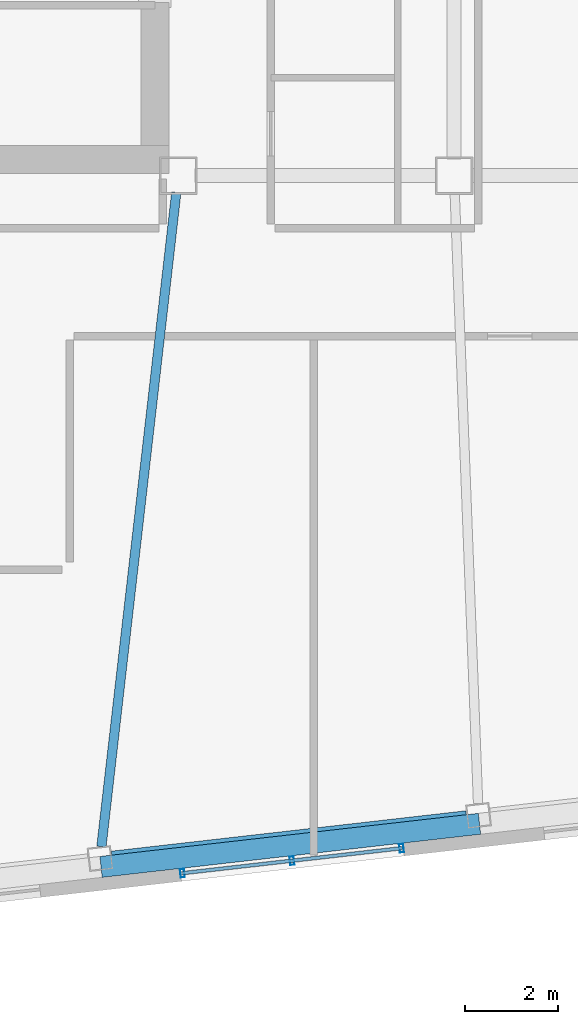
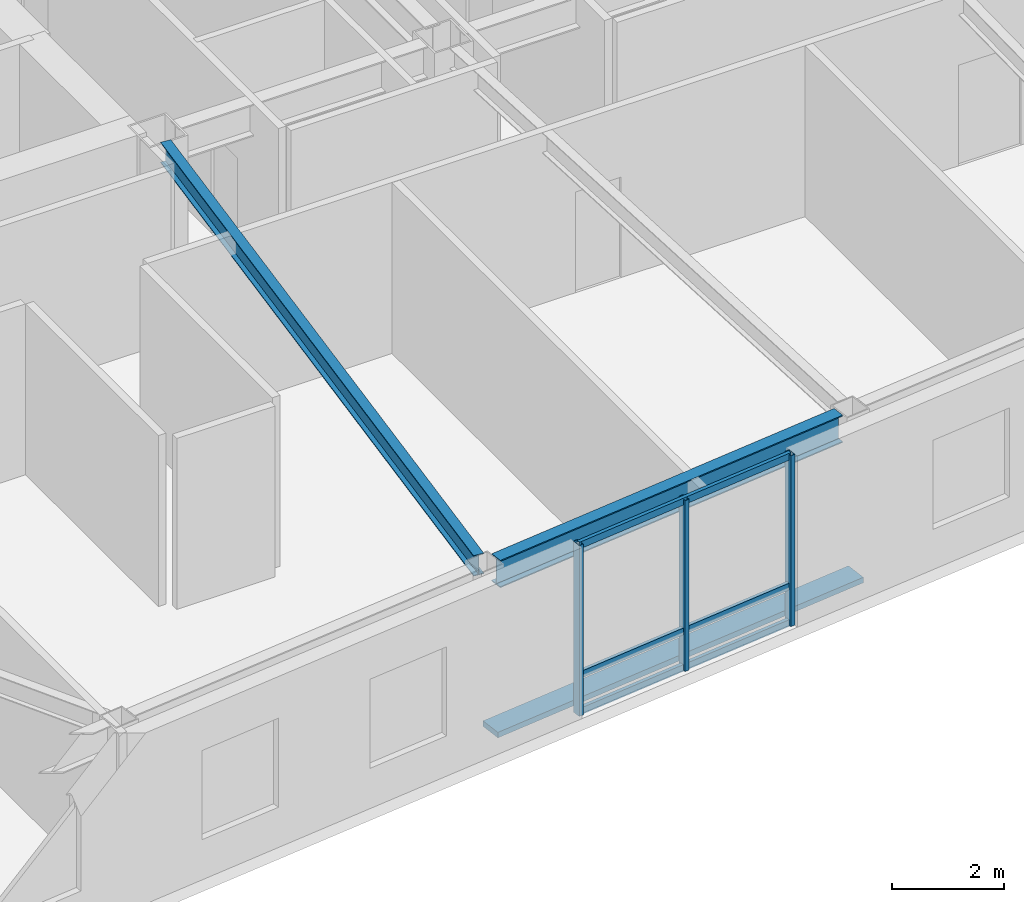
# One storey, part 4 of 19: 7 members, 2 beams, 1 element without a shape of its own.
"""IFC4 building model written with IfcOpenShell, lengths in metres."""

import ifcopenshell
import ifcopenshell.guid

model = None  # the IFC model being written
_history = None  # IfcOwnerHistory: only IFC2X3 demands one
_inside = {}  # id of a spatial element -> (the spatial element, [elements in it])
_under = {}  # id of a project, library or spatial element -> (it, [spatial elements below it])
_declared = {}  # id of a project -> (the project, [libraries it declares])
_typed = {}  # id of a type object -> (the type object, [elements of that type])
_made_of = {}  # id of a material, layer set ... -> (it, [elements and type objects made of it])


def new_model(schema):
    """Start an empty IFC model of exactly this schema.

    Asked for "IFC4X3", IfcOpenShell would pick the latest addendum, in which some entities
    have other attributes; the version numbers below select the first issue.
    IFC2X3 requires an IfcOwnerHistory on every rooted entity: one is made here for all.
    """
    global model, _history
    if schema == "IFC4X3":
        model = ifcopenshell.file(schema_version=(4, 3, 0, 0))
    else:
        model = ifcopenshell.file(schema=schema)
    _inside.clear()
    _under.clear()
    _declared.clear()
    _typed.clear()
    _made_of.clear()
    _history = None
    if model.schema == "IFC2X3":
        org = make("IfcOrganization", Name="unknown")
        user = make(
            "IfcPersonAndOrganization",
            ThePerson=make("IfcPerson", FamilyName="unknown"),
            TheOrganization=org,
        )
        app = make(
            "IfcApplication",
            ApplicationDeveloper=org,
            Version="unknown",
            ApplicationFullName="unknown",
            ApplicationIdentifier="unknown",
        )
        _history = make(
            "IfcOwnerHistory",
            OwningUser=user,
            OwningApplication=app,
            ChangeAction="ADDED",
            CreationDate=0,
        )
    return model


def make(cls, **values):
    """One entity of the class cls with the attributes given. An attribute that is None is left unset."""
    return model.create_entity(
        cls, **{name: value for name, value in values.items() if value is not None}
    )


def rooted(cls, **values):
    """An entity with a GlobalId (a new one), such as an element, a storey or a relation."""
    return make(cls, GlobalId=ifcopenshell.guid.new(), OwnerHistory=_history, **values)


def si_unit(unit_type, name, prefix=None):
    """IfcSIUnit, for example si_unit("LENGTHUNIT", "METRE", prefix="MILLI")."""
    return make("IfcSIUnit", UnitType=unit_type, Prefix=prefix, Name=name)


def assignment(units):
    """IfcUnitAssignment: the units of a project."""
    return None if units is None else make("IfcUnitAssignment", Units=units)


def point(xyz):
    """IfcCartesianPoint."""
    return None if xyz is None else make("IfcCartesianPoint", Coordinates=xyz)


def direction(xyz):
    """IfcDirection."""
    return None if xyz is None else make("IfcDirection", DirectionRatios=xyz)


def frame(location, z_axis=None, x_axis=None):
    """IfcAxis2Placement3D, a coordinate frame: its origin and axes. An axis left out is left unset."""
    return make(
        "IfcAxis2Placement3D",
        Location=point(location),
        Axis=direction(z_axis),
        RefDirection=direction(x_axis),
    )


def frame_2d(location, x_axis=None):
    """IfcAxis2Placement2D, a coordinate frame in the plane: its origin and x axis."""
    return make(
        "IfcAxis2Placement2D", Location=point(location), RefDirection=direction(x_axis)
    )


def origin():
    """The frame at (0, 0, 0) with its axes left unset."""
    return frame((0.0, 0.0, 0.0))


def origin_2d():
    """The frame at (0, 0) in the plane with its x axis left unset."""
    return frame_2d((0.0, 0.0))


def place(relative_to, where):
    """IfcLocalPlacement: puts the frame where relative to a parent placement (None: the world)."""
    return make(
        "IfcLocalPlacement", PlacementRelTo=relative_to, RelativePlacement=where
    )


def context(
    kind, dimensions, precision=None, world=None, true_north=None, identifier=None
):
    """IfcGeometricRepresentationContext, for example the 3D "Model" context."""
    return make(
        "IfcGeometricRepresentationContext",
        ContextIdentifier=identifier,
        ContextType=kind,
        CoordinateSpaceDimension=dimensions,
        Precision=precision,
        WorldCoordinateSystem=world,
        TrueNorth=true_north,
    )


def subcontext(parent, identifier, kind, view, scale=None):
    """IfcGeometricRepresentationSubContext, for example "Body" below "Model"."""
    return make(
        "IfcGeometricRepresentationSubContext",
        ContextIdentifier=identifier,
        ContextType=kind,
        ParentContext=parent,
        TargetScale=scale,
        TargetView=view,
    )


def project(units=None, contexts=None):
    """IfcProject with its units and contexts."""
    return rooted(
        "IfcProject",
        Name="project",
        RepresentationContexts=contexts,
        UnitsInContext=assignment(units),
    )


def spatial(cls, under=None, at=None, **own):
    """A site, building, storey or space (cls), placed at a placement, below another one or the project."""
    s = rooted(cls, ObjectPlacement=at, **own)
    if under is not None:
        _under.setdefault(under.id(), (under, []))[1].append(s)
    return s


def profile(cls, at=None, kind="AREA", **sizes):
    """A parametric profile (cls). Its sizes go by their IFC names, for example OverallWidth=200.0."""
    return make(cls, ProfileType=kind, Position=at, **sizes)


def rectangle(**sizes):
    """IfcRectangleProfileDef."""
    return profile("IfcRectangleProfileDef", **sizes)


def hollow_rectangle(**sizes):
    """IfcRectangleHollowProfileDef."""
    return profile("IfcRectangleHollowProfileDef", **sizes)


def i_section(**sizes):
    """IfcIShapeProfileDef."""
    return profile("IfcIShapeProfileDef", **sizes)


def extrude(swept, where, along, depth):
    """IfcExtrudedAreaSolid: the profile swept, set in the frame where, extruded along a direction by depth."""
    return make(
        "IfcExtrudedAreaSolid",
        SweptArea=swept,
        Position=where,
        ExtrudedDirection=direction(along),
        Depth=depth,
    )


def shape(context_of_items, identifier, shape_type, items):
    """IfcShapeRepresentation: the items that make up one representation, for example the "Body"."""
    return make(
        "IfcShapeRepresentation",
        ContextOfItems=context_of_items,
        RepresentationIdentifier=identifier,
        RepresentationType=shape_type,
        Items=items,
    )


def material(Name=None, Category=None):
    """IfcMaterial."""
    return make("IfcMaterial", Name=Name, Category=Category)


def layer(
    of_material, thickness, ventilated=None, Name=None, Category=None, Priority=None
):
    """IfcMaterialLayer: one layer of a wall or slab, of a material (None: an air gap)."""
    return make(
        "IfcMaterialLayer",
        Material=of_material,
        LayerThickness=thickness,
        IsVentilated=ventilated,
        Name=Name,
        Category=Category,
        Priority=Priority,
    )


def layer_set(layers, Name=None):
    """IfcMaterialLayerSet."""
    return make("IfcMaterialLayerSet", MaterialLayers=layers, LayerSetName=Name)


def material_profile(
    of_material, cross_section, Name=None, Category=None, Priority=None
):
    """IfcMaterialProfile: a cross section and its material."""
    return make(
        "IfcMaterialProfile",
        Name=Name,
        Material=of_material,
        Profile=cross_section,
        Priority=Priority,
        Category=Category,
    )


def profile_set(profiles, Name=None, composite=None):
    """IfcMaterialProfileSet."""
    return make(
        "IfcMaterialProfileSet",
        Name=Name,
        MaterialProfiles=profiles,
        CompositeProfile=composite,
    )


def made_of(thing, what):
    """Note that an element or type object is made of a material, layer set ...; save() writes the relation."""
    if what is not None:
        _made_of.setdefault(what.id(), (what, []))[1].append(thing)
    return thing


def type_object(cls, material=None, **own):
    """A type object (cls), such as IfcWallType, which elements share."""
    return made_of(rooted(cls, **own), material)


def element(
    cls,
    number,
    at=None,
    inside=None,
    cuts=None,
    type_object=None,
    material=None,
    context=None,
    identifier="Body",
    shape_type=None,
    held_by="IfcProductDefinitionShape",
    body=None,
    shapes=None,
    **own,
):
    """One element of the class cls, such as IfcWall. Its Tag is "e" and its number.

    at: its placement. inside: the storey or other place that contains it. cuts: it is an
    opening in that element (IfcRelVoidsElement). A single representation is given by context,
    identifier, shape_type and body (its items); several are given by shapes. held_by: the class
    of the entity that holds the representations. save() writes the other relations.
    """
    e = rooted(cls, Tag="e%d" % number, ObjectPlacement=at, **own)
    if body is not None:
        shapes = [shape(context, identifier, shape_type, body)]
    if shapes is not None:
        e.Representation = make(held_by, Representations=shapes)
    if inside is not None:
        _inside.setdefault(inside.id(), (inside, []))[1].append(e)
    if cuts is not None:
        rooted(
            "IfcRelVoidsElement", RelatingBuildingElement=cuts, RelatedOpeningElement=e
        )
    if type_object is not None:
        _typed.setdefault(type_object.id(), (type_object, []))[1].append(e)
    return made_of(e, material)


def aggregate(whole, parts):
    """IfcRelAggregates: a whole, such as a stair, and the parts it consists of."""
    return rooted("IfcRelAggregates", RelatingObject=whole, RelatedObjects=parts)


def save(model, path):
    """Write the relations noted so far, then the file.

    IfcRelAggregates (storeys below a building ...), IfcRelContainedInSpatialStructure (elements
    in a storey), IfcRelDefinesByType, IfcRelAssociatesMaterial and IfcRelDeclares: one each for
    every whole, place, type object, material and project.
    """
    for whole, parts in _under.values():
        aggregate(whole, parts)
    for where, things in _inside.values():
        rooted(
            "IfcRelContainedInSpatialStructure",
            RelatedElements=things,
            RelatingStructure=where,
        )
    for kind, things in _typed.values():
        rooted("IfcRelDefinesByType", RelatedObjects=things, RelatingType=kind)
    for what, things in _made_of.values():
        rooted("IfcRelAssociatesMaterial", RelatedObjects=things, RelatingMaterial=what)
    for by, libraries in _declared.values():
        rooted("IfcRelDeclares", RelatingContext=by, RelatedDefinitions=libraries)
    model.write(path)


model = new_model("IFC4")

# Units and contexts
model_context = context("Model", 3, precision=1e-05, world=origin(), true_north=direction((0.0, 1.0)))
body_context = subcontext(model_context, "Body", "Model", "MODEL_VIEW")
ifc_project = project(units=[si_unit("LENGTHUNIT", "METRE"), si_unit("AREAUNIT", "SQUARE_METRE"), si_unit("VOLUMEUNIT", "CUBIC_METRE"), si_unit("PLANEANGLEUNIT", "RADIAN"), si_unit("MASSUNIT", "GRAM", prefix="KILO")], contexts=[model_context])

# Site, building, storey
site_placement = place(None, origin())
site = spatial("IfcSite", under=ifc_project, at=site_placement, CompositionType="ELEMENT")
building_placement = place(site_placement, origin())
building = spatial("IfcBuilding", under=site, at=building_placement, Name="Tavrogorsk Clinical Tower", CompositionType="ELEMENT")
storey_placement = place(building_placement, frame((0.0, 0.0, 259.0)))
storey = spatial("IfcBuildingStorey", under=building, at=storey_placement, Name="L60", CompositionType="ELEMENT", Elevation=259.0)

# Member
ifc_material_1 = material(Name="Anodised aluminium alloy AW-6063", Category="aluminium")
ifc_material_profile_1 = material_profile(ifc_material_1, rectangle(XDim=0.449951171875, YDim=0.1201171875, at=origin_2d()), Name="ALU-SUNSHADE-450x120")
ifc_profile_set_1 = profile_set([ifc_material_profile_1], Name="Anodised aluminium alloy AW-6063")
member_type_1 = type_object("IfcMemberType", Name="ChicagoSunshade_450x120", PredefinedType="USERDEFINED", material=ifc_profile_set_1)
member_1_placement = place(storey_placement, frame((-11.951904296875, -21.136474609375, 0.179931640625), z_axis=(0.9935729766, 0.113193375116, 0.0), x_axis=(-0.113193375116, 0.9935729766, 0.0)))
element("IfcMember", 1, at=member_1_placement, inside=storey, type_object=member_type_1, Name="L60 South Aluminium Sunshade S3", ObjectType="SUNSHADE", PredefinedType="USERDEFINED", context=body_context, shape_type="SweptSolid", body=[
    extrude(rectangle(XDim=0.449951171875, YDim=0.1201171875, at=origin_2d()), origin(), (0.0, 0.0, 1.0), 8.148681640625),
])

# Curtain wall, members
ifc_material_2 = material(Name="Anodised aluminium and triple IGU glazing", Category="aluminium")
ifc_layer = layer(ifc_material_2, 0.179931640625)
ifc_layer_set = layer_set([ifc_layer], Name="Anodised aluminium and triple IGU glazing")
curtain_wall_type = type_object("IfcCurtainWallType", Name="CW3_SouthSlot", PredefinedType="NOTDEFINED", material=ifc_layer_set)
curtain_wall_placement = place(storey_placement, origin())
curtain_wall = element("IfcCurtainWall", 2, at=curtain_wall_placement, inside=storey, type_object=curtain_wall_type, Name="L60 Curtain Wall CW-L60-S-SLOT-1", PredefinedType="NOTDEFINED")
ifc_material_3 = material(Name="Anodised aluminium alloy AW-6060", Category="aluminium")
ifc_material_profile_2 = material_profile(ifc_material_3, hollow_rectangle(XDim=0.090087890625, YDim=0.179931640625, WallThickness=0.00634765625, at=origin_2d()), Name="RHS-180x90x6.3")
ifc_profile_set_2 = profile_set([ifc_material_profile_2], Name="Anodised aluminium alloy AW-6060")
member_type_2 = type_object("IfcMemberType", Name="CwMullion_180x90", PredefinedType="MULLION", material=ifc_profile_set_2)
member_2_placement = place(storey_placement, frame((-10.21044921875, -21.270263671875, 0.0), z_axis=(0.0, 0.0, 1.0), x_axis=(0.993571855603, 0.11320321441, 0.0)))
member_2 = element("IfcMember", 3, at=member_2_placement, type_object=member_type_2, Name="CW-L60-S-SLOT-1 Mullion 1", PredefinedType="MULLION", context=body_context, shape_type="SweptSolid", body=[
    extrude(hollow_rectangle(XDim=0.090087890625, YDim=0.179931640625, WallThickness=0.00634765625, at=origin_2d()), origin(), (0.0, 0.0, 1.0), 3.739990234375),
])
member_3_placement = place(storey_placement, frame((-7.866455078125, -21.003173828125, 0.0), z_axis=(0.0, 0.0, 1.0), x_axis=(0.993571855603, 0.11320321441, 0.0)))
member_3 = element("IfcMember", 4, at=member_3_placement, type_object=member_type_2, Name="CW-L60-S-SLOT-1 Mullion 2", PredefinedType="MULLION", context=body_context, shape_type="SweptSolid", body=[
    extrude(hollow_rectangle(XDim=0.090087890625, YDim=0.179931640625, WallThickness=0.00634765625, at=origin_2d()), origin(), (0.0, 0.0, 1.0), 3.739990234375),
])
member_4_placement = place(storey_placement, frame((-5.522705078125, -20.736083984375, 0.0), z_axis=(0.0, 0.0, 1.0), x_axis=(0.993571855603, 0.11320321441, 0.0)))
member_4 = element("IfcMember", 5, at=member_4_placement, type_object=member_type_2, Name="CW-L60-S-SLOT-1 Mullion 3", PredefinedType="MULLION", context=body_context, shape_type="SweptSolid", body=[
    extrude(hollow_rectangle(XDim=0.090087890625, YDim=0.179931640625, WallThickness=0.00634765625, at=origin_2d()), origin(), (0.0, 0.0, 1.0), 3.739990234375),
])
ifc_material_4 = material(Name="Anodised aluminium alloy AW-6060", Category="aluminium")
ifc_material_profile_3 = material_profile(ifc_material_4, hollow_rectangle(XDim=0.074951171875, YDim=0.14990234375, WallThickness=0.0048828125, at=origin_2d()), Name="RHS-150x75x5")
ifc_profile_set_3 = profile_set([ifc_material_profile_3], Name="Anodised aluminium alloy AW-6060")
member_type_3 = type_object("IfcMemberType", Name="CwTransom_150x75", PredefinedType="USERDEFINED", material=ifc_profile_set_3)
member_5_placement = place(storey_placement, frame((-10.21044921875, -21.270263671875, 0.050048828125), z_axis=(0.993569979218, 0.113219682023, 0.0), x_axis=(-0.113219682023, 0.993569979218, 0.0)))
member_5 = element("IfcMember", 6, at=member_5_placement, type_object=member_type_3, Name="CW-L60-S-SLOT-1 Transom 1", ObjectType="TRANSOM", PredefinedType="USERDEFINED", context=body_context, shape_type="SweptSolid", body=[
    extrude(hollow_rectangle(XDim=0.074951171875, YDim=0.14990234375, WallThickness=0.0048828125, at=origin_2d()), origin(), (0.0, 0.0, 1.0), 4.718017578125),
])
member_6_placement = place(storey_placement, frame((-10.21044921875, -21.270263671875, 0.85009765625), z_axis=(0.993569979218, 0.113219682023, 0.0), x_axis=(-0.113219682023, 0.993569979218, 0.0)))
member_6 = element("IfcMember", 7, at=member_6_placement, type_object=member_type_3, Name="CW-L60-S-SLOT-1 Transom 2", ObjectType="TRANSOM", PredefinedType="USERDEFINED", context=body_context, shape_type="SweptSolid", body=[
    extrude(hollow_rectangle(XDim=0.074951171875, YDim=0.14990234375, WallThickness=0.0048828125, at=origin_2d()), origin(), (0.0, 0.0, 1.0), 4.718017578125),
])
member_7_placement = place(storey_placement, frame((-10.21044921875, -21.270263671875, 3.68994140625), z_axis=(0.993569979218, 0.113219682023, 0.0), x_axis=(-0.113219682023, 0.993569979218, 0.0)))
member_7 = element("IfcMember", 8, at=member_7_placement, type_object=member_type_3, Name="CW-L60-S-SLOT-1 Transom 3", ObjectType="TRANSOM", PredefinedType="USERDEFINED", context=body_context, shape_type="SweptSolid", body=[
    extrude(hollow_rectangle(XDim=0.074951171875, YDim=0.14990234375, WallThickness=0.0048828125, at=origin_2d()), origin(), (0.0, 0.0, 1.0), 4.718017578125),
])
aggregate(curtain_wall, [member_2, member_3, member_4, member_5, member_6, member_7])

# Beams
ifc_material_5 = material(Name="Structural steel S355", Category="steel")
ifc_material_profile_4 = material_profile(ifc_material_5, i_section(OverallWidth=0.199951171875, OverallDepth=0.449951171875, WebThickness=0.011474609375, FlangeThickness=0.01806640625, at=origin_2d()), Name="B-450x200x11.5x18")
ifc_profile_set_4 = profile_set([ifc_material_profile_4], Name="Structural steel S355")
beam_type_1 = type_object("IfcBeamType", Name="FloorBeam_B450", PredefinedType="BEAM", material=ifc_profile_set_4)
beam_1_placement = place(storey_placement, frame((-10.341064453125, -6.707763671875, 3.514892578125), z_axis=(-0.113743110947, -0.993510193562, 0.0), x_axis=(0.993510193562, -0.113743110947, 0.0)))
element("IfcBeam", 9, at=beam_1_placement, inside=storey, type_object=beam_type_1, Name="L60 Radial Floor Beam S3", PredefinedType="BEAM", context=body_context, shape_type="SweptSolid", body=[
    extrude(i_section(OverallWidth=0.199951171875, OverallDepth=0.449951171875, WebThickness=0.011474609375, FlangeThickness=0.01806640625, at=origin_2d()), origin(), (0.0, 0.0, 1.0), 14.084716796875),
])
ifc_material_6 = material(Name="Structural steel S390", Category="steel")
ifc_material_profile_5 = material_profile(ifc_material_6, i_section(OverallWidth=0.260009765625, OverallDepth=0.60009765625, WebThickness=0.014892578125, FlangeThickness=0.02392578125, at=origin_2d()), Name="B-600x260x15x24")
ifc_profile_set_5 = profile_set([ifc_material_profile_5], Name="Structural steel S390")
beam_type_2 = type_object("IfcBeamType", Name="SpandrelBeam_B600", PredefinedType="SPANDREL", material=ifc_profile_set_5)
beam_2_placement = place(storey_placement, frame((-11.716064453125, -20.928466796875, 3.43994140625), z_axis=(0.993572509708, 0.113197473259, 0.0), x_axis=(-0.113197473259, 0.993572509708, 0.0)))
element("IfcBeam", 10, at=beam_2_placement, inside=storey, type_object=beam_type_2, Name="L60 Perimeter Spandrel S3-S4", PredefinedType="SPANDREL", context=body_context, shape_type="SweptSolid", body=[
    extrude(i_section(OverallWidth=0.260009765625, OverallDepth=0.60009765625, WebThickness=0.014892578125, FlangeThickness=0.02392578125, at=origin_2d()), origin(), (0.0, 0.0, 1.0), 7.6328125),
])

save(model, "model.ifc")
